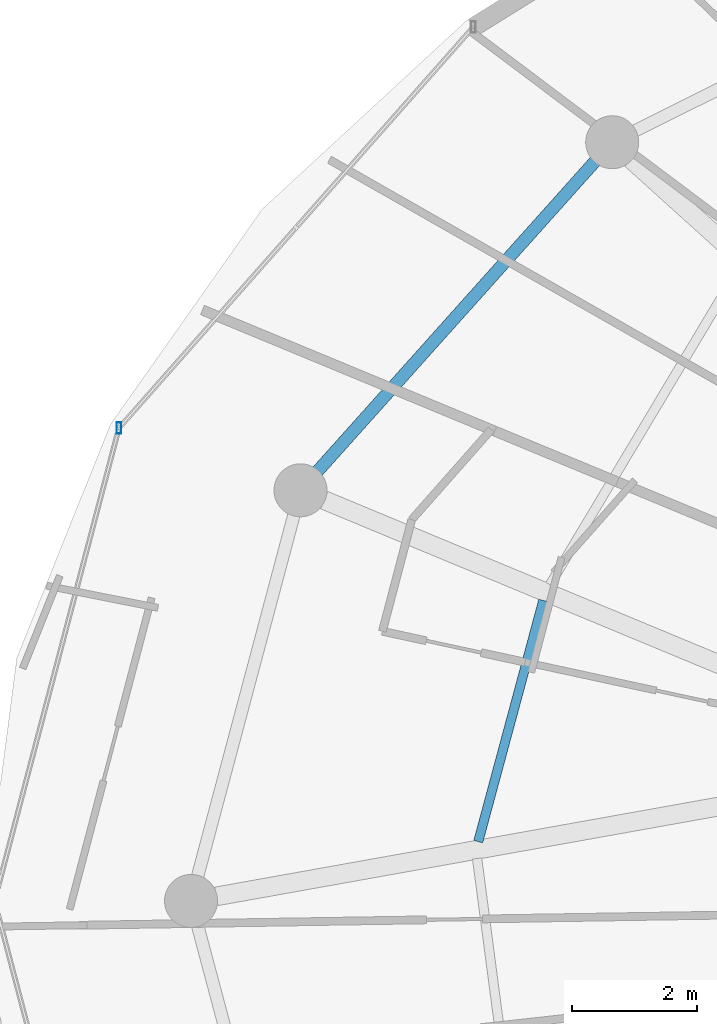
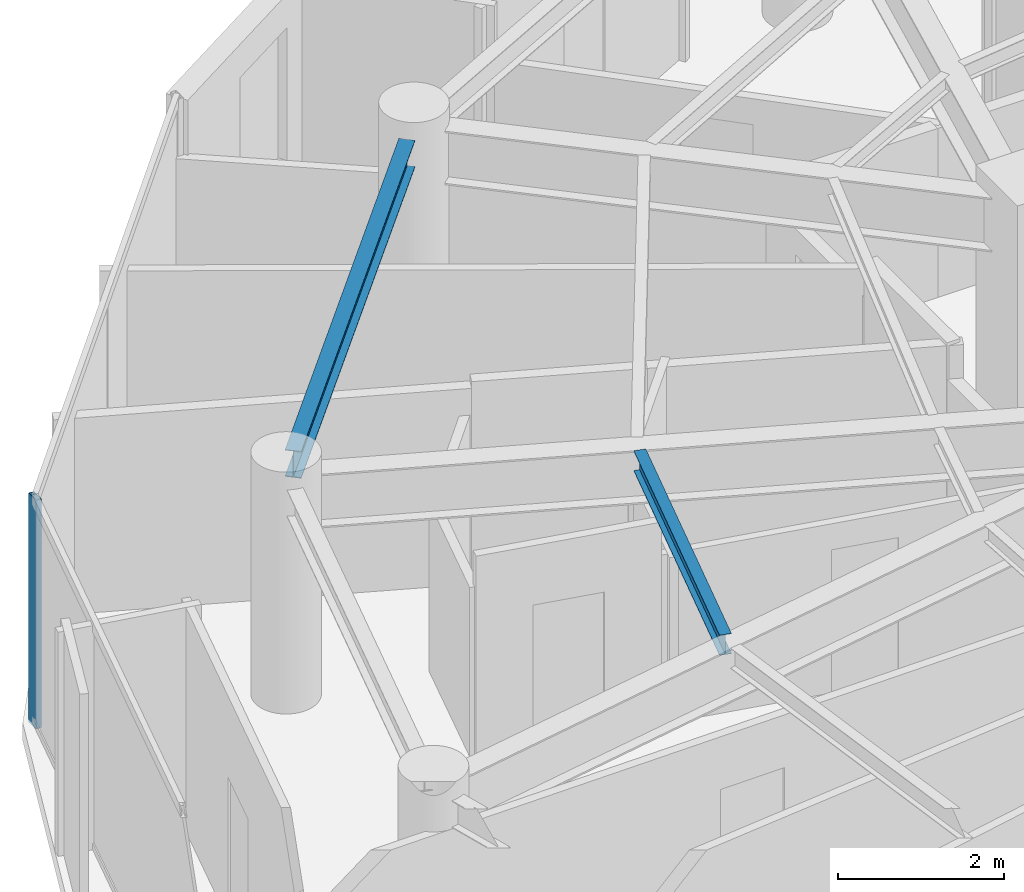
# One storey, part 9 of 31: 2 beams, 1 member, 1 element without a shape of its own.
"""IFC4 building model written with IfcOpenShell, lengths in metres."""

from ifc_helpers import new_model, si_unit, direction, frame, origin, origin_2d, place, context, subcontext, project, spatial, hollow_rectangle, i_section, extrude, material, material_profile, profile_set, type_object, element, aggregate, save


model = new_model("IFC4")

# Units and contexts
model_context = context("Model", 3, precision=1e-05, world=origin(), true_north=direction((0.0, 1.0)))
body_context = subcontext(model_context, "Body", "Model", "MODEL_VIEW")
ifc_project = project(units=[si_unit("LENGTHUNIT", "METRE"), si_unit("AREAUNIT", "SQUARE_METRE"), si_unit("VOLUMEUNIT", "CUBIC_METRE"), si_unit("PLANEANGLEUNIT", "RADIAN"), si_unit("MASSUNIT", "GRAM", prefix="KILO")], contexts=[model_context])

# Site, building, storey
site_placement = place(None, origin())
site = spatial("IfcSite", under=ifc_project, at=site_placement, CompositionType="ELEMENT")
building_placement = place(site_placement, origin())
building = spatial("IfcBuilding", under=site, at=building_placement, Name="Vorneva Point Tower", CompositionType="ELEMENT")
storey_placement = place(building_placement, frame((0.0, 0.0, 248.449951171875)))
storey = spatial("IfcBuildingStorey", under=building, at=storey_placement, Name="L67", CompositionType="ELEMENT", Elevation=248.449951171875)

# Beams
ifc_material_1 = material(Name="Steel S355", Category="steel")
ifc_material_profile_1 = material_profile(ifc_material_1, i_section(OverallWidth=0.14892578125, OverallDepth=0.298095703125, WebThickness=0.005615234375, FlangeThickness=0.008056640625, at=origin_2d()), Name="30B1")
ifc_profile_set_1 = profile_set([ifc_material_profile_1], Name="Steel S355")
beam_type_1 = type_object("IfcBeamType", Name="BM-JST-30B1", PredefinedType="JOIST", material=ifc_profile_set_1)
beam_1_placement = place(storey_placement, frame((20.59619140625, 30.81689453125, 3.14111328125), z_axis=(-0.260310139159, -0.965525054802, 0.0), x_axis=(0.965525054802, -0.260310139159, 0.0)))
element("IfcBeam", 1, at=beam_1_placement, inside=storey, type_object=beam_type_1, Name="L67 Secondary Floor Beam 1.08", PredefinedType="JOIST", context=body_context, shape_type="SweptSolid", body=[
    extrude(i_section(OverallWidth=0.14892578125, OverallDepth=0.298095703125, WebThickness=0.005615234375, FlangeThickness=0.008056640625, at=origin_2d()), origin(), (0.0, 0.0, 1.0), 4.0048828125),
])
ifc_material_profile_2 = material_profile(ifc_material_1, i_section(OverallWidth=0.198974609375, OverallDepth=0.39599609375, WebThickness=0.007080078125, FlangeThickness=0.010986328125, at=origin_2d()), Name="40B1")
ifc_profile_set_2 = profile_set([ifc_material_profile_2], Name="Steel S355")
beam_type_2 = type_object("IfcBeamType", Name="BM-SPN-40B1", PredefinedType="SPANDREL", material=ifc_profile_set_2)
beam_2_placement = place(storey_placement, frame((21.427734375, 37.856689453125, 3.092041015625), z_axis=(-0.667108282638, -0.744960763554, 0.0), x_axis=(0.744960763554, -0.667108282638, 0.0)))
element("IfcBeam", 2, at=beam_2_placement, inside=storey, type_object=beam_type_2, Name="L67 Perimeter Spandrel Ring Beam 07", PredefinedType="SPANDREL", context=body_context, shape_type="SweptSolid", body=[
    extrude(i_section(OverallWidth=0.198974609375, OverallDepth=0.39599609375, WebThickness=0.007080078125, FlangeThickness=0.010986328125, at=origin_2d()), origin(), (0.0, 0.0, 1.0), 6.670166015625),
])

# Curtain wall, member
ifc_material_2 = material(Name="Pale anodised aluminium", Category="aluminium")
curtain_wall_type = type_object("IfcCurtainWallType", Name="CW-RES-SYS", PredefinedType="NOTDEFINED", material=ifc_material_2)
curtain_wall_placement = place(storey_placement, origin())
curtain_wall = element("IfcCurtainWall", 3, at=curtain_wall_placement, inside=storey, type_object=curtain_wall_type, Name="L67 Unitised Curtain Wall CW-L67-R03", PredefinedType="NOTDEFINED")
ifc_material_profile_3 = material_profile(ifc_material_2, hollow_rectangle(XDim=0.074951171875, YDim=0.179931640625, WallThickness=0.00390625, at=origin_2d()), Name="AL-MUL 180x75x4")
ifc_profile_set_3 = profile_set([ifc_material_profile_3], Name="Pale anodised aluminium")
member_type = type_object("IfcMemberType", Name="CW-MUL-180", PredefinedType="MULLION", material=ifc_profile_set_3)
member_placement = place(storey_placement, frame((13.79443359375, 33.5810546875, -0.0400390625), z_axis=(0.0, 0.0, 1.0), x_axis=(1.0, 0.0, 0.0)))
member = element("IfcMember", 4, at=member_placement, type_object=member_type, Name="CW-L67-R03 Mullion 02", PredefinedType="MULLION", context=body_context, shape_type="SweptSolid", body=[
    extrude(hollow_rectangle(XDim=0.074951171875, YDim=0.179931640625, WallThickness=0.00390625, at=origin_2d()), origin(), (0.0, 0.0, 1.0), 3.360107421875),
])
aggregate(curtain_wall, [member])

save(model, "model.ifc")
